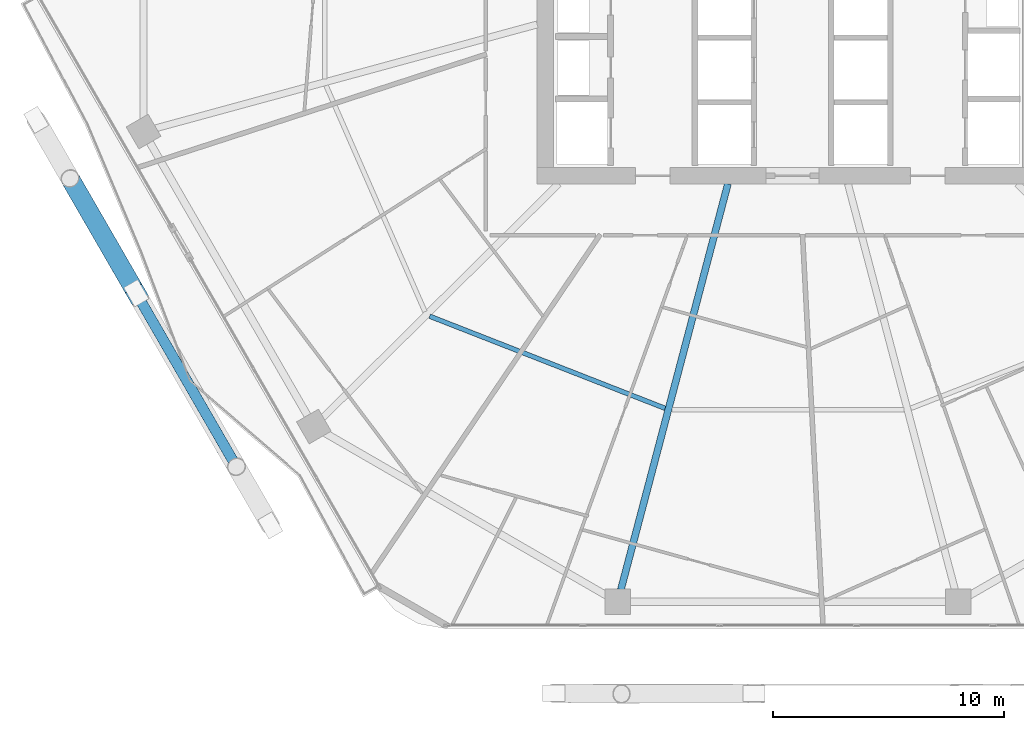
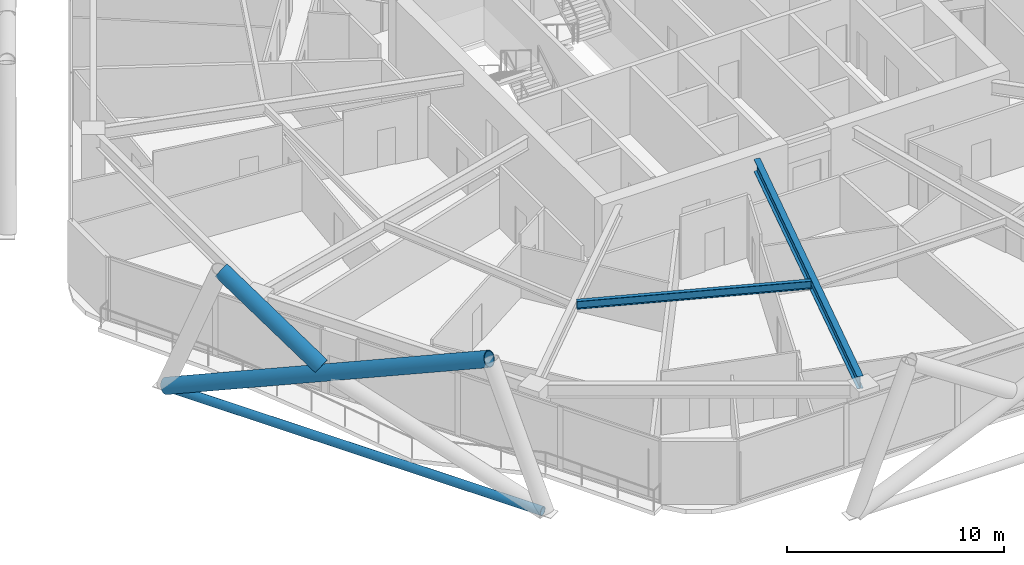
# One storey, part 4 of 35: 3 members, 2 beams.
"""IFC4 building model written with IfcOpenShell, lengths in metres."""

from ifc_helpers import new_model, si_unit, direction, frame, origin, origin_2d, place, context, subcontext, project, spatial, hollow_circle, i_section, extrude, material, material_profile, profile_set, type_object, element, save


model = new_model("IFC4")

# Units and contexts
model_context = context("Model", 3, precision=1e-05, world=origin(), true_north=direction((0.0, 1.0)))
body_context = subcontext(model_context, "Body", "Model", "MODEL_VIEW")
ifc_project = project(units=[si_unit("LENGTHUNIT", "METRE"), si_unit("AREAUNIT", "SQUARE_METRE"), si_unit("VOLUMEUNIT", "CUBIC_METRE"), si_unit("PLANEANGLEUNIT", "RADIAN"), si_unit("MASSUNIT", "GRAM", prefix="KILO")], contexts=[model_context])

# Site, building, storey
site_placement = place(None, origin())
site = spatial("IfcSite", under=ifc_project, at=site_placement, CompositionType="ELEMENT")
building_placement = place(site_placement, origin())
building = spatial("IfcBuilding", under=site, at=building_placement, Name="Zuhravey Tower", CompositionType="ELEMENT")
storey_placement = place(building_placement, frame((0.0, 0.0, 122.800048828125)))
storey = spatial("IfcBuildingStorey", under=building, at=storey_placement, Name="L30", CompositionType="ELEMENT", Elevation=122.800048828125)

# Members
ifc_material_1 = material(Name="Steel SM355", Category="steel")
ifc_material_profile_1 = material_profile(ifc_material_1, hollow_circle(Radius=0.228515625, WallThickness=0.02197265625, at=origin_2d()), Name="CHS-457.2x22")
ifc_profile_set_1 = profile_set([ifc_material_profile_1], Name="Steel SM355")
member_type_1 = type_object("IfcMemberType", Name="Exoskeleton Ring Tie CHS457x22", PredefinedType="CHORD", material=ifc_profile_set_1)
member_1_placement = place(storey_placement, frame((3.53271484375, 24.79833984375, -0.464111328125), z_axis=(0.499987058157, -0.866032875632, 0.0), x_axis=(0.866032875632, 0.499987058157, 0.0)))
element("IfcMember", 1, at=member_1_placement, inside=storey, type_object=member_type_1, Name="L30 Exoskeleton Face 4 Tie EXR1", PredefinedType="CHORD", context=body_context, shape_type="SweptSolid", body=[
    extrude(hollow_circle(Radius=0.228515625, WallThickness=0.02197265625, at=origin_2d()), origin(), (0.0, 0.0, 1.0), 19.99365234375),
])
ifc_material_2 = material(Name="Steel SM460", Category="steel")
ifc_material_profile_2 = material_profile(ifc_material_2, hollow_circle(Radius=0.406494140625, WallThickness=0.035888671875, at=origin_2d()), Name="CHS-812.8x36")
ifc_profile_set_2 = profile_set([ifc_material_profile_2], Name="Steel SM460")
member_type_2 = type_object("IfcMemberType", Name="Exoskeleton Zone 1 Diagrid CHS813x36", PredefinedType="BRACE", material=ifc_profile_set_2)
member_2_placement = place(storey_placement, frame((3.48779296875, 24.8759765625, -0.442138671875), z_axis=(0.457897185127, -0.793115763737, 0.401618666355), x_axis=(0.866029382339, 0.499993108878, 0.0)))
element("IfcMember", 2, at=member_2_placement, inside=storey, type_object=member_type_2, Name="L30 Face 4 Diagrid Brace 2", PredefinedType="BRACE", context=body_context, shape_type="SweptSolid", body=[
    extrude(hollow_circle(Radius=0.406494140625, WallThickness=0.035888671875, at=origin_2d()), origin(), (0.0, 0.0, 1.0), 18.814208984375),
])
member_3_placement = place(storey_placement, frame((7.630126953125, 17.701171875, 3.55517578125), z_axis=(-0.416504317817, 0.72143614827, 0.553221508267), x_axis=(-0.866034259299, -0.499984661485, 0.0)))
element("IfcMember", 3, at=member_3_placement, inside=storey, type_object=member_type_2, Name="L30 Face 4 Split Diagrid Brace 3B", PredefinedType="BRACE", context=body_context, shape_type="SweptSolid", body=[
    extrude(hollow_circle(Radius=0.406494140625, WallThickness=0.035888671875, at=origin_2d()), origin(), (0.0, 0.0, 1.0), 6.41796875),
])

# Beams
ifc_material_profile_3 = material_profile(ifc_material_1, i_section(OverallWidth=0.300048828125, OverallDepth=0.699951171875, WebThickness=0.012939453125, FlangeThickness=0.02392578125, at=origin_2d()), Name="H-700x300x13x24")
ifc_profile_set_3 = profile_set([ifc_material_profile_3], Name="Steel SM355")
beam_type_1 = type_object("IfcBeamType", Name="Radial Primary Girder H700x300", PredefinedType="BEAM", material=ifc_profile_set_3)
beam_1_placement = place(storey_placement, frame((33.40185546875, 22.14697265625, 3.199951171875), z_axis=(-0.25498755891, -0.966944333869, 0.0), x_axis=(0.966944333869, -0.25498755891, 0.0)))
element("IfcBeam", 4, at=beam_1_placement, inside=storey, type_object=beam_type_1, Name="L30 RG1 BM-L30-RAD-09", PredefinedType="BEAM", context=body_context, shape_type="SweptSolid", body=[
    extrude(i_section(OverallWidth=0.300048828125, OverallDepth=0.699951171875, WebThickness=0.012939453125, FlangeThickness=0.02392578125, at=origin_2d()), origin(), (0.0, 0.0, 1.0), 18.1611328125),
])
ifc_material_profile_4 = material_profile(ifc_material_1, i_section(OverallWidth=0.199951171875, OverallDepth=0.449951171875, WebThickness=0.009033203125, FlangeThickness=0.013916015625, at=origin_2d()), Name="H-450x200x9x14")
ifc_profile_set_4 = profile_set([ifc_material_profile_4], Name="Steel SM355")
beam_type_2 = type_object("IfcBeamType", Name="Secondary Floor Joist H450x200", PredefinedType="JOIST", material=ifc_profile_set_4)
beam_2_placement = place(storey_placement, frame((20.49462890625, 16.418701171875, 3.324951171875), z_axis=(0.931216764731, -0.364465824302, 0.0), x_axis=(0.364465824302, 0.931216764731, 0.0)))
element("IfcBeam", 5, at=beam_2_placement, inside=storey, type_object=beam_type_2, Name="L30 SJ1 BM-L30-SJ-08-1", PredefinedType="JOIST", context=body_context, shape_type="SweptSolid", body=[
    extrude(i_section(OverallWidth=0.199951171875, OverallDepth=0.449951171875, WebThickness=0.009033203125, FlangeThickness=0.013916015625, at=origin_2d()), origin(), (0.0, 0.0, 1.0), 10.939453125),
])

save(model, "model.ifc")
